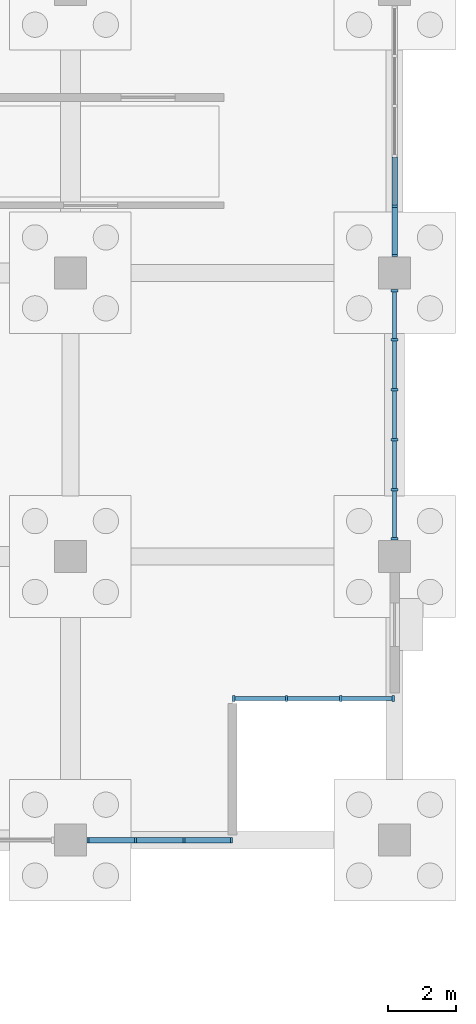
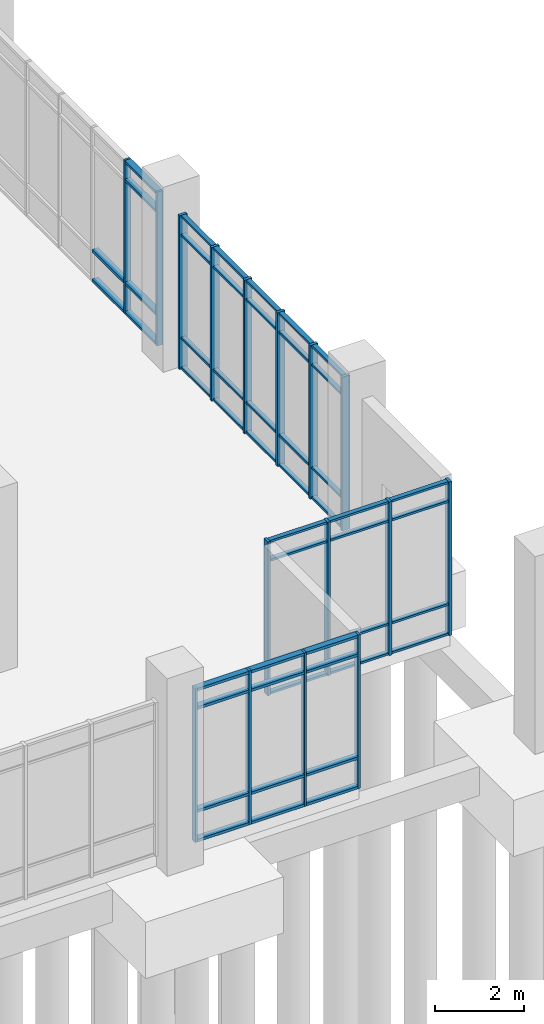
# One storey, part 65 of 136: 66 members, 4 elements without a shape of their own.
"""IFC4 building model written with IfcOpenShell, lengths in metres."""

from ifc_helpers import new_model, si_unit, direction, frame, origin, origin_2d, place, context, subcontext, project, spatial, rectangle, extrude, material, material_profile, profile_set, type_object, element, aggregate, save


model = new_model("IFC4")

# Units and contexts
model_context = context("Model", 3, precision=1e-05, world=origin(), true_north=direction((0.0, 1.0)))
body_context = subcontext(model_context, "Body", "Model", "MODEL_VIEW")
ifc_project = project(units=[si_unit("LENGTHUNIT", "METRE"), si_unit("AREAUNIT", "SQUARE_METRE"), si_unit("VOLUMEUNIT", "CUBIC_METRE"), si_unit("PLANEANGLEUNIT", "RADIAN"), si_unit("MASSUNIT", "GRAM", prefix="KILO")], contexts=[model_context])

# Site, building, storey
site_placement = place(None, origin())
site = spatial("IfcSite", under=ifc_project, at=site_placement, CompositionType="ELEMENT")
building_placement = place(site_placement, origin())
building = spatial("IfcBuilding", under=site, at=building_placement, Name="Oolite Switchyard Hospital", CompositionType="ELEMENT")
storey_placement = place(building_placement, origin())
storey = spatial("IfcBuildingStorey", under=building, at=storey_placement, Name="L00", CompositionType="ELEMENT", Elevation=0.0)

# Curtain wall, members
ifc_material_1 = material(Name="Thermally broken aluminum frame with laminated impact glazing", Category="aluminium")
curtain_wall_type = type_object("IfcCurtainWallType", Name="CW-UNIT-84X51", PredefinedType="USERDEFINED", material=ifc_material_1)
curtain_wall_1_placement = place(storey_placement, origin())
curtain_wall_1 = element("IfcCurtainWall", 1, at=curtain_wall_1_placement, inside=storey, type_object=curtain_wall_type, Name="L00 Unitised Curtain Wall 39", ObjectType="UNITISED", PredefinedType="USERDEFINED")
ifc_material_2 = material(Name="Aluminium 6063-T6", Category="aluminium")
ifc_material_profile_1 = material_profile(ifc_material_2, rectangle(XDim=0.159912109375, YDim=0.06005859375, at=origin_2d()), Name="CWM60X160")
ifc_profile_set_1 = profile_set([ifc_material_profile_1], Name="Aluminium 6063-T6")
member_type_1 = type_object("IfcMemberType", Name="CW-MUL-180", PredefinedType="MULLION", material=ifc_profile_set_1)
member_1_placement = place(storey_placement, frame((206.3701171875, 100.800048828125, 0.0), z_axis=(0.0, 0.0, 1.0), x_axis=(0.0, -1.0, 0.0)))
member_1 = element("IfcMember", 2, at=member_1_placement, type_object=member_type_1, Name="CW-06 mullion 1", PredefinedType="MULLION", context=body_context, shape_type="SweptSolid", body=[
    extrude(rectangle(XDim=0.159912109375, YDim=0.06005859375, at=origin_2d()), origin(), (0.0, 0.0, 1.0), 4.239990234375),
])
member_2_placement = place(storey_placement, frame((204.96337890625, 100.800048828125, 0.0), z_axis=(0.0, 0.0, 1.0), x_axis=(0.0, -1.0, 0.0)))
member_2 = element("IfcMember", 3, at=member_2_placement, type_object=member_type_1, Name="CW-06 mullion 2", PredefinedType="MULLION", context=body_context, shape_type="SweptSolid", body=[
    extrude(rectangle(XDim=0.159912109375, YDim=0.06005859375, at=origin_2d()), origin(), (0.0, 0.0, 1.0), 4.239990234375),
])
member_3_placement = place(storey_placement, frame((203.526611328125, 100.800048828125, 0.0), z_axis=(0.0, 0.0, 1.0), x_axis=(0.0, -1.0, 0.0)))
member_3 = element("IfcMember", 4, at=member_3_placement, type_object=member_type_1, Name="CW-06 mullion 3", PredefinedType="MULLION", context=body_context, shape_type="SweptSolid", body=[
    extrude(rectangle(XDim=0.159912109375, YDim=0.06005859375, at=origin_2d()), origin(), (0.0, 0.0, 1.0), 4.239990234375),
])
member_4_placement = place(storey_placement, frame((202.1201171875, 100.800048828125, 0.0), z_axis=(0.0, 0.0, 1.0), x_axis=(0.0, -1.0, 0.0)))
member_4 = element("IfcMember", 5, at=member_4_placement, type_object=member_type_1, Name="CW-06 mullion 4", PredefinedType="MULLION", context=body_context, shape_type="SweptSolid", body=[
    extrude(rectangle(XDim=0.159912109375, YDim=0.06005859375, at=origin_2d()), origin(), (0.0, 0.0, 1.0), 4.239990234375),
])

curtain_wall_2_placement = place(storey_placement, origin())
curtain_wall_2 = element("IfcCurtainWall", 6, at=curtain_wall_2_placement, inside=storey, type_object=curtain_wall_type, Name="L00 Unitised Curtain Wall 93", ObjectType="UNITISED", PredefinedType="USERDEFINED")
member_5_placement = place(storey_placement, frame((211.199951171875, 119.573974609375, 0.0), z_axis=(0.0, 0.0, 1.0), x_axis=(1.0, 0.0, 0.0)))
member_5 = element("IfcMember", 7, at=member_5_placement, type_object=member_type_1, Name="CW-06 mullion 5", PredefinedType="MULLION", context=body_context, shape_type="SweptSolid", body=[
    extrude(rectangle(XDim=0.159912109375, YDim=0.06005859375, at=origin_2d()), origin(), (0.0, 0.0, 1.0), 4.239990234375),
])
member_6_placement = place(storey_placement, frame((211.199951171875, 118.1201171875, 0.0), z_axis=(0.0, 0.0, 1.0), x_axis=(1.0, 0.0, 0.0)))
member_6 = element("IfcMember", 8, at=member_6_placement, type_object=member_type_1, Name="CW-06 mullion 6", PredefinedType="MULLION", context=body_context, shape_type="SweptSolid", body=[
    extrude(rectangle(XDim=0.159912109375, YDim=0.06005859375, at=origin_2d()), origin(), (0.0, 0.0, 1.0), 4.239990234375),
])

curtain_wall_3_placement = place(storey_placement, origin())
curtain_wall_3 = element("IfcCurtainWall", 9, at=curtain_wall_3_placement, inside=storey, type_object=curtain_wall_type, Name="L00 Unitised Curtain Wall 40", ObjectType="UNITISED", PredefinedType="USERDEFINED")
ifc_material_profile_2 = material_profile(ifc_material_2, rectangle(XDim=0.179931640625, YDim=0.070068359375, at=origin_2d()), Name="CWM70X180")
ifc_profile_set_2 = profile_set([ifc_material_profile_2], Name="Aluminium 6063-T6")
member_type_2 = type_object("IfcMemberType", Name="CW-MUL-220", PredefinedType="MULLION", material=ifc_profile_set_2)
member_7_placement = place(storey_placement, frame((211.1650390625, 105.0, 0.0), z_axis=(0.0, 0.0, 1.0), x_axis=(0.0, -1.0, 0.0)))
member_7 = element("IfcMember", 10, at=member_7_placement, type_object=member_type_2, Name="CW-06 mullion 1", PredefinedType="MULLION", context=body_context, shape_type="SweptSolid", body=[
    extrude(rectangle(XDim=0.179931640625, YDim=0.070068359375, at=origin_2d()), origin(), (0.0, 0.0, 1.0), 4.239990234375),
])
member_8_placement = place(storey_placement, frame((209.60009765625, 105.0, 0.0), z_axis=(0.0, 0.0, 1.0), x_axis=(0.0, -1.0, 0.0)))
member_8 = element("IfcMember", 11, at=member_8_placement, type_object=member_type_2, Name="CW-06 mullion 2", PredefinedType="MULLION", context=body_context, shape_type="SweptSolid", body=[
    extrude(rectangle(XDim=0.179931640625, YDim=0.070068359375, at=origin_2d()), origin(), (0.0, 0.0, 1.0), 4.239990234375),
])
member_9_placement = place(storey_placement, frame((208.0, 105.0, 0.0), z_axis=(0.0, 0.0, 1.0), x_axis=(0.0, -1.0, 0.0)))
member_9 = element("IfcMember", 12, at=member_9_placement, type_object=member_type_2, Name="CW-06 mullion 3", PredefinedType="MULLION", context=body_context, shape_type="SweptSolid", body=[
    extrude(rectangle(XDim=0.179931640625, YDim=0.070068359375, at=origin_2d()), origin(), (0.0, 0.0, 1.0), 4.239990234375),
])
member_10_placement = place(storey_placement, frame((206.43505859375, 105.0, 0.0), z_axis=(0.0, 0.0, 1.0), x_axis=(0.0, -1.0, 0.0)))
member_10 = element("IfcMember", 13, at=member_10_placement, type_object=member_type_2, Name="CW-06 mullion 4", PredefinedType="MULLION", context=body_context, shape_type="SweptSolid", body=[
    extrude(rectangle(XDim=0.179931640625, YDim=0.070068359375, at=origin_2d()), origin(), (0.0, 0.0, 1.0), 4.239990234375),
])

curtain_wall_4_placement = place(storey_placement, origin())
curtain_wall_4 = element("IfcCurtainWall", 14, at=curtain_wall_4_placement, inside=storey, type_object=curtain_wall_type, Name="L00 Unitised Curtain Wall 92", ObjectType="UNITISED", PredefinedType="USERDEFINED")
ifc_material_profile_3 = material_profile(ifc_material_2, rectangle(XDim=0.199951171875, YDim=0.074951171875, at=origin_2d()), Name="CWM75X200")
ifc_profile_set_3 = profile_set([ifc_material_profile_3], Name="Aluminium 6063-T6")
member_type_3 = type_object("IfcMemberType", Name="CW-MUL-260", PredefinedType="MULLION", material=ifc_profile_set_3)
member_11_placement = place(storey_placement, frame((211.199951171875, 117.072509765625, 0.0), z_axis=(0.0, 0.0, 1.0), x_axis=(1.0, 0.0, 0.0)))
member_11 = element("IfcMember", 15, at=member_11_placement, type_object=member_type_3, Name="CW-06 mullion 1", PredefinedType="MULLION", context=body_context, shape_type="SweptSolid", body=[
    extrude(rectangle(XDim=0.199951171875, YDim=0.074951171875, at=origin_2d()), origin(), (0.0, 0.0, 1.0), 4.239990234375),
])
member_12_placement = place(storey_placement, frame((211.199951171875, 115.6259765625, 0.0), z_axis=(0.0, 0.0, 1.0), x_axis=(1.0, 0.0, 0.0)))
member_12 = element("IfcMember", 16, at=member_12_placement, type_object=member_type_3, Name="CW-06 mullion 2", PredefinedType="MULLION", context=body_context, shape_type="SweptSolid", body=[
    extrude(rectangle(XDim=0.199951171875, YDim=0.074951171875, at=origin_2d()), origin(), (0.0, 0.0, 1.0), 4.239990234375),
])
member_13_placement = place(storey_placement, frame((211.199951171875, 114.14208984375, 0.0), z_axis=(0.0, 0.0, 1.0), x_axis=(1.0, 0.0, 0.0)))
member_13 = element("IfcMember", 17, at=member_13_placement, type_object=member_type_3, Name="CW-06 mullion 3", PredefinedType="MULLION", context=body_context, shape_type="SweptSolid", body=[
    extrude(rectangle(XDim=0.199951171875, YDim=0.074951171875, at=origin_2d()), origin(), (0.0, 0.0, 1.0), 4.239990234375),
])
member_14_placement = place(storey_placement, frame((211.199951171875, 112.657958984375, 0.0), z_axis=(0.0, 0.0, 1.0), x_axis=(1.0, 0.0, 0.0)))
member_14 = element("IfcMember", 18, at=member_14_placement, type_object=member_type_3, Name="CW-06 mullion 4", PredefinedType="MULLION", context=body_context, shape_type="SweptSolid", body=[
    extrude(rectangle(XDim=0.199951171875, YDim=0.074951171875, at=origin_2d()), origin(), (0.0, 0.0, 1.0), 4.239990234375),
])
member_15_placement = place(storey_placement, frame((211.199951171875, 111.174072265625, 0.0), z_axis=(0.0, 0.0, 1.0), x_axis=(1.0, 0.0, 0.0)))
member_15 = element("IfcMember", 19, at=member_15_placement, type_object=member_type_3, Name="CW-06 mullion 5", PredefinedType="MULLION", context=body_context, shape_type="SweptSolid", body=[
    extrude(rectangle(XDim=0.199951171875, YDim=0.074951171875, at=origin_2d()), origin(), (0.0, 0.0, 1.0), 4.239990234375),
])
member_16_placement = place(storey_placement, frame((211.199951171875, 109.7275390625, 0.0), z_axis=(0.0, 0.0, 1.0), x_axis=(1.0, 0.0, 0.0)))
member_16 = element("IfcMember", 20, at=member_16_placement, type_object=member_type_3, Name="CW-06 mullion 6", PredefinedType="MULLION", context=body_context, shape_type="SweptSolid", body=[
    extrude(rectangle(XDim=0.199951171875, YDim=0.074951171875, at=origin_2d()), origin(), (0.0, 0.0, 1.0), 4.239990234375),
])

# Member
ifc_material_profile_4 = material_profile(ifc_material_2, rectangle(XDim=0.1201171875, YDim=0.06005859375, at=origin_2d()), Name="CWT60X120")
ifc_profile_set_4 = profile_set([ifc_material_profile_4], Name="Aluminium 6063-T6")
member_type_4 = type_object("IfcMemberType", Name="CW-TRN-150", PredefinedType="USERDEFINED", material=ifc_profile_set_4)
member_17_placement = place(storey_placement, frame((211.1298828125, 105.0, 0.030029296875), z_axis=(-1.0, 0.0, 0.0), x_axis=(0.0, -1.0, 0.0)))
member_17 = element("IfcMember", 21, at=member_17_placement, type_object=member_type_4, Name="CW-06 transom 1.1", ObjectType="TRANSOM", PredefinedType="USERDEFINED", context=body_context, shape_type="SweptSolid", body=[
    extrude(rectangle(XDim=0.1201171875, YDim=0.06005859375, at=origin_2d()), origin(), (0.0, 0.0, 1.0), 1.494873046875),
])

member_18_placement = place(storey_placement, frame((211.1298828125, 105.0, 0.85009765625), z_axis=(-1.0, 0.0, 0.0), x_axis=(0.0, -1.0, 0.0)))
member_18 = element("IfcMember", 22, at=member_18_placement, type_object=member_type_4, Name="CW-06 transom 1.2", ObjectType="TRANSOM", PredefinedType="USERDEFINED", context=body_context, shape_type="SweptSolid", body=[
    extrude(rectangle(XDim=0.1201171875, YDim=0.06005859375, at=origin_2d()), origin(), (0.0, 0.0, 1.0), 1.494873046875),
])

member_19_placement = place(storey_placement, frame((211.1298828125, 105.0, 3.68994140625), z_axis=(-1.0, 0.0, 0.0), x_axis=(0.0, -1.0, 0.0)))
member_19 = element("IfcMember", 23, at=member_19_placement, type_object=member_type_4, Name="CW-06 transom 1.3", ObjectType="TRANSOM", PredefinedType="USERDEFINED", context=body_context, shape_type="SweptSolid", body=[
    extrude(rectangle(XDim=0.1201171875, YDim=0.06005859375, at=origin_2d()), origin(), (0.0, 0.0, 1.0), 1.494873046875),
])

member_20_placement = place(storey_placement, frame((211.1298828125, 105.0, 4.2099609375), z_axis=(-1.0, 0.0, 0.0), x_axis=(0.0, -1.0, 0.0)))
member_20 = element("IfcMember", 24, at=member_20_placement, type_object=member_type_4, Name="CW-06 transom 1.4", ObjectType="TRANSOM", PredefinedType="USERDEFINED", context=body_context, shape_type="SweptSolid", body=[
    extrude(rectangle(XDim=0.1201171875, YDim=0.06005859375, at=origin_2d()), origin(), (0.0, 0.0, 1.0), 1.494873046875),
])

member_21_placement = place(storey_placement, frame((209.56494140625, 105.0, 0.030029296875), z_axis=(-1.0, 0.0, 0.0), x_axis=(0.0, -1.0, 0.0)))
member_21 = element("IfcMember", 25, at=member_21_placement, type_object=member_type_4, Name="CW-06 transom 2.1", ObjectType="TRANSOM", PredefinedType="USERDEFINED", context=body_context, shape_type="SweptSolid", body=[
    extrude(rectangle(XDim=0.1201171875, YDim=0.06005859375, at=origin_2d()), origin(), (0.0, 0.0, 1.0), 1.530029296875),
])

member_22_placement = place(storey_placement, frame((209.56494140625, 105.0, 0.85009765625), z_axis=(-1.0, 0.0, 0.0), x_axis=(0.0, -1.0, 0.0)))
member_22 = element("IfcMember", 26, at=member_22_placement, type_object=member_type_4, Name="CW-06 transom 2.2", ObjectType="TRANSOM", PredefinedType="USERDEFINED", context=body_context, shape_type="SweptSolid", body=[
    extrude(rectangle(XDim=0.1201171875, YDim=0.06005859375, at=origin_2d()), origin(), (0.0, 0.0, 1.0), 1.530029296875),
])

member_23_placement = place(storey_placement, frame((209.56494140625, 105.0, 3.68994140625), z_axis=(-1.0, 0.0, 0.0), x_axis=(0.0, -1.0, 0.0)))
member_23 = element("IfcMember", 27, at=member_23_placement, type_object=member_type_4, Name="CW-06 transom 2.3", ObjectType="TRANSOM", PredefinedType="USERDEFINED", context=body_context, shape_type="SweptSolid", body=[
    extrude(rectangle(XDim=0.1201171875, YDim=0.06005859375, at=origin_2d()), origin(), (0.0, 0.0, 1.0), 1.530029296875),
])

member_24_placement = place(storey_placement, frame((209.56494140625, 105.0, 4.2099609375), z_axis=(-1.0, 0.0, 0.0), x_axis=(0.0, -1.0, 0.0)))
member_24 = element("IfcMember", 28, at=member_24_placement, type_object=member_type_4, Name="CW-06 transom 2.4", ObjectType="TRANSOM", PredefinedType="USERDEFINED", context=body_context, shape_type="SweptSolid", body=[
    extrude(rectangle(XDim=0.1201171875, YDim=0.06005859375, at=origin_2d()), origin(), (0.0, 0.0, 1.0), 1.530029296875),
])

member_25_placement = place(storey_placement, frame((207.965087890625, 105.0, 0.030029296875), z_axis=(-1.0, 0.0, 0.0), x_axis=(0.0, -1.0, 0.0)))
member_25 = element("IfcMember", 29, at=member_25_placement, type_object=member_type_4, Name="CW-06 transom 3.1", ObjectType="TRANSOM", PredefinedType="USERDEFINED", context=body_context, shape_type="SweptSolid", body=[
    extrude(rectangle(XDim=0.1201171875, YDim=0.06005859375, at=origin_2d()), origin(), (0.0, 0.0, 1.0), 1.4951171875),
])

member_26_placement = place(storey_placement, frame((207.965087890625, 105.0, 0.85009765625), z_axis=(-1.0, 0.0, 0.0), x_axis=(0.0, -1.0, 0.0)))
member_26 = element("IfcMember", 30, at=member_26_placement, type_object=member_type_4, Name="CW-06 transom 3.2", ObjectType="TRANSOM", PredefinedType="USERDEFINED", context=body_context, shape_type="SweptSolid", body=[
    extrude(rectangle(XDim=0.1201171875, YDim=0.06005859375, at=origin_2d()), origin(), (0.0, 0.0, 1.0), 1.4951171875),
])

member_27_placement = place(storey_placement, frame((207.965087890625, 105.0, 3.68994140625), z_axis=(-1.0, 0.0, 0.0), x_axis=(0.0, -1.0, 0.0)))
member_27 = element("IfcMember", 31, at=member_27_placement, type_object=member_type_4, Name="CW-06 transom 3.3", ObjectType="TRANSOM", PredefinedType="USERDEFINED", context=body_context, shape_type="SweptSolid", body=[
    extrude(rectangle(XDim=0.1201171875, YDim=0.06005859375, at=origin_2d()), origin(), (0.0, 0.0, 1.0), 1.4951171875),
])

member_28_placement = place(storey_placement, frame((207.965087890625, 105.0, 4.2099609375), z_axis=(-1.0, 0.0, 0.0), x_axis=(0.0, -1.0, 0.0)))
member_28 = element("IfcMember", 32, at=member_28_placement, type_object=member_type_4, Name="CW-06 transom 3.4", ObjectType="TRANSOM", PredefinedType="USERDEFINED", context=body_context, shape_type="SweptSolid", body=[
    extrude(rectangle(XDim=0.1201171875, YDim=0.06005859375, at=origin_2d()), origin(), (0.0, 0.0, 1.0), 1.4951171875),
])

aggregate(curtain_wall_3, [member_7, member_8, member_9, member_10, member_17, member_18, member_19, member_20, member_21, member_22, member_23, member_24, member_25, member_26, member_27, member_28])

member_29_placement = place(storey_placement, frame((211.199951171875, 117.034912109375, 0.030029296875), z_axis=(0.0, -1.0, 0.0), x_axis=(1.0, 0.0, 0.0)))
member_29 = element("IfcMember", 33, at=member_29_placement, type_object=member_type_4, Name="CW-06 transom 1.1", ObjectType="TRANSOM", PredefinedType="USERDEFINED", context=body_context, shape_type="SweptSolid", body=[
    extrude(rectangle(XDim=0.1201171875, YDim=0.06005859375, at=origin_2d()), origin(), (0.0, 0.0, 1.0), 1.371337890625),
])

member_30_placement = place(storey_placement, frame((211.199951171875, 117.034912109375, 0.85009765625), z_axis=(0.0, -1.0, 0.0), x_axis=(1.0, 0.0, 0.0)))
member_30 = element("IfcMember", 34, at=member_30_placement, type_object=member_type_4, Name="CW-06 transom 1.2", ObjectType="TRANSOM", PredefinedType="USERDEFINED", context=body_context, shape_type="SweptSolid", body=[
    extrude(rectangle(XDim=0.1201171875, YDim=0.06005859375, at=origin_2d()), origin(), (0.0, 0.0, 1.0), 1.371337890625),
])

member_31_placement = place(storey_placement, frame((211.199951171875, 117.034912109375, 3.68994140625), z_axis=(0.0, -1.0, 0.0), x_axis=(1.0, 0.0, 0.0)))
member_31 = element("IfcMember", 35, at=member_31_placement, type_object=member_type_4, Name="CW-06 transom 1.3", ObjectType="TRANSOM", PredefinedType="USERDEFINED", context=body_context, shape_type="SweptSolid", body=[
    extrude(rectangle(XDim=0.1201171875, YDim=0.06005859375, at=origin_2d()), origin(), (0.0, 0.0, 1.0), 1.371337890625),
])

member_32_placement = place(storey_placement, frame((211.199951171875, 117.034912109375, 4.2099609375), z_axis=(0.0, -1.0, 0.0), x_axis=(1.0, 0.0, 0.0)))
member_32 = element("IfcMember", 36, at=member_32_placement, type_object=member_type_4, Name="CW-06 transom 1.4", ObjectType="TRANSOM", PredefinedType="USERDEFINED", context=body_context, shape_type="SweptSolid", body=[
    extrude(rectangle(XDim=0.1201171875, YDim=0.06005859375, at=origin_2d()), origin(), (0.0, 0.0, 1.0), 1.371337890625),
])

member_33_placement = place(storey_placement, frame((211.199951171875, 115.58837890625, 0.030029296875), z_axis=(0.0, -1.0, 0.0), x_axis=(1.0, 0.0, 0.0)))
member_33 = element("IfcMember", 37, at=member_33_placement, type_object=member_type_4, Name="CW-06 transom 2.1", ObjectType="TRANSOM", PredefinedType="USERDEFINED", context=body_context, shape_type="SweptSolid", body=[
    extrude(rectangle(XDim=0.1201171875, YDim=0.06005859375, at=origin_2d()), origin(), (0.0, 0.0, 1.0), 1.408935546875),
])

member_34_placement = place(storey_placement, frame((211.199951171875, 115.58837890625, 0.85009765625), z_axis=(0.0, -1.0, 0.0), x_axis=(1.0, 0.0, 0.0)))
member_34 = element("IfcMember", 38, at=member_34_placement, type_object=member_type_4, Name="CW-06 transom 2.2", ObjectType="TRANSOM", PredefinedType="USERDEFINED", context=body_context, shape_type="SweptSolid", body=[
    extrude(rectangle(XDim=0.1201171875, YDim=0.06005859375, at=origin_2d()), origin(), (0.0, 0.0, 1.0), 1.408935546875),
])

member_35_placement = place(storey_placement, frame((211.199951171875, 115.58837890625, 3.68994140625), z_axis=(0.0, -1.0, 0.0), x_axis=(1.0, 0.0, 0.0)))
member_35 = element("IfcMember", 39, at=member_35_placement, type_object=member_type_4, Name="CW-06 transom 2.3", ObjectType="TRANSOM", PredefinedType="USERDEFINED", context=body_context, shape_type="SweptSolid", body=[
    extrude(rectangle(XDim=0.1201171875, YDim=0.06005859375, at=origin_2d()), origin(), (0.0, 0.0, 1.0), 1.408935546875),
])

member_36_placement = place(storey_placement, frame((211.199951171875, 115.58837890625, 4.2099609375), z_axis=(0.0, -1.0, 0.0), x_axis=(1.0, 0.0, 0.0)))
member_36 = element("IfcMember", 40, at=member_36_placement, type_object=member_type_4, Name="CW-06 transom 2.4", ObjectType="TRANSOM", PredefinedType="USERDEFINED", context=body_context, shape_type="SweptSolid", body=[
    extrude(rectangle(XDim=0.1201171875, YDim=0.06005859375, at=origin_2d()), origin(), (0.0, 0.0, 1.0), 1.408935546875),
])

member_37_placement = place(storey_placement, frame((211.199951171875, 114.1044921875, 0.030029296875), z_axis=(0.0, -1.0, 0.0), x_axis=(1.0, 0.0, 0.0)))
member_37 = element("IfcMember", 41, at=member_37_placement, type_object=member_type_4, Name="CW-06 transom 3.1", ObjectType="TRANSOM", PredefinedType="USERDEFINED", context=body_context, shape_type="SweptSolid", body=[
    extrude(rectangle(XDim=0.1201171875, YDim=0.06005859375, at=origin_2d()), origin(), (0.0, 0.0, 1.0), 1.408935546875),
])

member_38_placement = place(storey_placement, frame((211.199951171875, 114.1044921875, 0.85009765625), z_axis=(0.0, -1.0, 0.0), x_axis=(1.0, 0.0, 0.0)))
member_38 = element("IfcMember", 42, at=member_38_placement, type_object=member_type_4, Name="CW-06 transom 3.2", ObjectType="TRANSOM", PredefinedType="USERDEFINED", context=body_context, shape_type="SweptSolid", body=[
    extrude(rectangle(XDim=0.1201171875, YDim=0.06005859375, at=origin_2d()), origin(), (0.0, 0.0, 1.0), 1.408935546875),
])

member_39_placement = place(storey_placement, frame((211.199951171875, 114.1044921875, 3.68994140625), z_axis=(0.0, -1.0, 0.0), x_axis=(1.0, 0.0, 0.0)))
member_39 = element("IfcMember", 43, at=member_39_placement, type_object=member_type_4, Name="CW-06 transom 3.3", ObjectType="TRANSOM", PredefinedType="USERDEFINED", context=body_context, shape_type="SweptSolid", body=[
    extrude(rectangle(XDim=0.1201171875, YDim=0.06005859375, at=origin_2d()), origin(), (0.0, 0.0, 1.0), 1.408935546875),
])

member_40_placement = place(storey_placement, frame((211.199951171875, 114.1044921875, 4.2099609375), z_axis=(0.0, -1.0, 0.0), x_axis=(1.0, 0.0, 0.0)))
member_40 = element("IfcMember", 44, at=member_40_placement, type_object=member_type_4, Name="CW-06 transom 3.4", ObjectType="TRANSOM", PredefinedType="USERDEFINED", context=body_context, shape_type="SweptSolid", body=[
    extrude(rectangle(XDim=0.1201171875, YDim=0.06005859375, at=origin_2d()), origin(), (0.0, 0.0, 1.0), 1.408935546875),
])

member_41_placement = place(storey_placement, frame((211.199951171875, 112.62060546875, 0.030029296875), z_axis=(0.0, -1.0, 0.0), x_axis=(1.0, 0.0, 0.0)))
member_41 = element("IfcMember", 45, at=member_41_placement, type_object=member_type_4, Name="CW-06 transom 4.1", ObjectType="TRANSOM", PredefinedType="USERDEFINED", context=body_context, shape_type="SweptSolid", body=[
    extrude(rectangle(XDim=0.1201171875, YDim=0.06005859375, at=origin_2d()), origin(), (0.0, 0.0, 1.0), 1.4091796875),
])

member_42_placement = place(storey_placement, frame((211.199951171875, 112.62060546875, 0.85009765625), z_axis=(0.0, -1.0, 0.0), x_axis=(1.0, 0.0, 0.0)))
member_42 = element("IfcMember", 46, at=member_42_placement, type_object=member_type_4, Name="CW-06 transom 4.2", ObjectType="TRANSOM", PredefinedType="USERDEFINED", context=body_context, shape_type="SweptSolid", body=[
    extrude(rectangle(XDim=0.1201171875, YDim=0.06005859375, at=origin_2d()), origin(), (0.0, 0.0, 1.0), 1.4091796875),
])

member_43_placement = place(storey_placement, frame((211.199951171875, 112.62060546875, 3.68994140625), z_axis=(0.0, -1.0, 0.0), x_axis=(1.0, 0.0, 0.0)))
member_43 = element("IfcMember", 47, at=member_43_placement, type_object=member_type_4, Name="CW-06 transom 4.3", ObjectType="TRANSOM", PredefinedType="USERDEFINED", context=body_context, shape_type="SweptSolid", body=[
    extrude(rectangle(XDim=0.1201171875, YDim=0.06005859375, at=origin_2d()), origin(), (0.0, 0.0, 1.0), 1.4091796875),
])

member_44_placement = place(storey_placement, frame((211.199951171875, 112.62060546875, 4.2099609375), z_axis=(0.0, -1.0, 0.0), x_axis=(1.0, 0.0, 0.0)))
member_44 = element("IfcMember", 48, at=member_44_placement, type_object=member_type_4, Name="CW-06 transom 4.4", ObjectType="TRANSOM", PredefinedType="USERDEFINED", context=body_context, shape_type="SweptSolid", body=[
    extrude(rectangle(XDim=0.1201171875, YDim=0.06005859375, at=origin_2d()), origin(), (0.0, 0.0, 1.0), 1.4091796875),
])

member_45_placement = place(storey_placement, frame((211.199951171875, 111.136474609375, 0.030029296875), z_axis=(0.0, -1.0, 0.0), x_axis=(1.0, 0.0, 0.0)))
member_45 = element("IfcMember", 49, at=member_45_placement, type_object=member_type_4, Name="CW-06 transom 5.1", ObjectType="TRANSOM", PredefinedType="USERDEFINED", context=body_context, shape_type="SweptSolid", body=[
    extrude(rectangle(XDim=0.1201171875, YDim=0.06005859375, at=origin_2d()), origin(), (0.0, 0.0, 1.0), 1.37158203125),
])

member_46_placement = place(storey_placement, frame((211.199951171875, 111.136474609375, 0.85009765625), z_axis=(0.0, -1.0, 0.0), x_axis=(1.0, 0.0, 0.0)))
member_46 = element("IfcMember", 50, at=member_46_placement, type_object=member_type_4, Name="CW-06 transom 5.2", ObjectType="TRANSOM", PredefinedType="USERDEFINED", context=body_context, shape_type="SweptSolid", body=[
    extrude(rectangle(XDim=0.1201171875, YDim=0.06005859375, at=origin_2d()), origin(), (0.0, 0.0, 1.0), 1.37158203125),
])

member_47_placement = place(storey_placement, frame((211.199951171875, 111.136474609375, 3.68994140625), z_axis=(0.0, -1.0, 0.0), x_axis=(1.0, 0.0, 0.0)))
member_47 = element("IfcMember", 51, at=member_47_placement, type_object=member_type_4, Name="CW-06 transom 5.3", ObjectType="TRANSOM", PredefinedType="USERDEFINED", context=body_context, shape_type="SweptSolid", body=[
    extrude(rectangle(XDim=0.1201171875, YDim=0.06005859375, at=origin_2d()), origin(), (0.0, 0.0, 1.0), 1.37158203125),
])

member_48_placement = place(storey_placement, frame((211.199951171875, 111.136474609375, 4.2099609375), z_axis=(0.0, -1.0, 0.0), x_axis=(1.0, 0.0, 0.0)))
member_48 = element("IfcMember", 52, at=member_48_placement, type_object=member_type_4, Name="CW-06 transom 5.4", ObjectType="TRANSOM", PredefinedType="USERDEFINED", context=body_context, shape_type="SweptSolid", body=[
    extrude(rectangle(XDim=0.1201171875, YDim=0.06005859375, at=origin_2d()), origin(), (0.0, 0.0, 1.0), 1.37158203125),
])

aggregate(curtain_wall_4, [member_11, member_12, member_13, member_14, member_15, member_16, member_29, member_30, member_31, member_32, member_33, member_34, member_35, member_36, member_37, member_38, member_39, member_40, member_41, member_42, member_43, member_44, member_45, member_46, member_47, member_48])

ifc_material_profile_5 = material_profile(ifc_material_2, rectangle(XDim=0.159912109375, YDim=0.074951171875, at=origin_2d()), Name="CWT75X160")
ifc_profile_set_5 = profile_set([ifc_material_profile_5], Name="Aluminium 6063-T6")
member_type_5 = type_object("IfcMemberType", Name="CW-TRN-180", PredefinedType="USERDEFINED", material=ifc_profile_set_5)
member_49_placement = place(storey_placement, frame((206.340087890625, 100.800048828125, 0.03759765625), z_axis=(-1.0, 0.0, 0.0), x_axis=(0.0, -1.0, 0.0)))
member_49 = element("IfcMember", 53, at=member_49_placement, type_object=member_type_5, Name="CW-06 transom 1.1", ObjectType="TRANSOM", PredefinedType="USERDEFINED", context=body_context, shape_type="SweptSolid", body=[
    extrude(rectangle(XDim=0.159912109375, YDim=0.074951171875, at=origin_2d()), origin(), (0.0, 0.0, 1.0), 1.3466796875),
])

member_50_placement = place(storey_placement, frame((206.340087890625, 100.800048828125, 0.85009765625), z_axis=(-1.0, 0.0, 0.0), x_axis=(0.0, -1.0, 0.0)))
member_50 = element("IfcMember", 54, at=member_50_placement, type_object=member_type_5, Name="CW-06 transom 1.2", ObjectType="TRANSOM", PredefinedType="USERDEFINED", context=body_context, shape_type="SweptSolid", body=[
    extrude(rectangle(XDim=0.159912109375, YDim=0.074951171875, at=origin_2d()), origin(), (0.0, 0.0, 1.0), 1.3466796875),
])

member_51_placement = place(storey_placement, frame((206.340087890625, 100.800048828125, 3.68994140625), z_axis=(-1.0, 0.0, 0.0), x_axis=(0.0, -1.0, 0.0)))
member_51 = element("IfcMember", 55, at=member_51_placement, type_object=member_type_5, Name="CW-06 transom 1.3", ObjectType="TRANSOM", PredefinedType="USERDEFINED", context=body_context, shape_type="SweptSolid", body=[
    extrude(rectangle(XDim=0.159912109375, YDim=0.074951171875, at=origin_2d()), origin(), (0.0, 0.0, 1.0), 1.3466796875),
])

member_52_placement = place(storey_placement, frame((206.340087890625, 100.800048828125, 4.202392578125), z_axis=(-1.0, 0.0, 0.0), x_axis=(0.0, -1.0, 0.0)))
member_52 = element("IfcMember", 56, at=member_52_placement, type_object=member_type_5, Name="CW-06 transom 1.4", ObjectType="TRANSOM", PredefinedType="USERDEFINED", context=body_context, shape_type="SweptSolid", body=[
    extrude(rectangle(XDim=0.159912109375, YDim=0.074951171875, at=origin_2d()), origin(), (0.0, 0.0, 1.0), 1.3466796875),
])

member_53_placement = place(storey_placement, frame((204.933349609375, 100.800048828125, 0.03759765625), z_axis=(-1.0, 0.0, 0.0), x_axis=(0.0, -1.0, 0.0)))
member_53 = element("IfcMember", 57, at=member_53_placement, type_object=member_type_5, Name="CW-06 transom 2.1", ObjectType="TRANSOM", PredefinedType="USERDEFINED", context=body_context, shape_type="SweptSolid", body=[
    extrude(rectangle(XDim=0.159912109375, YDim=0.074951171875, at=origin_2d()), origin(), (0.0, 0.0, 1.0), 1.376708984375),
])

member_54_placement = place(storey_placement, frame((204.933349609375, 100.800048828125, 0.85009765625), z_axis=(-1.0, 0.0, 0.0), x_axis=(0.0, -1.0, 0.0)))
member_54 = element("IfcMember", 58, at=member_54_placement, type_object=member_type_5, Name="CW-06 transom 2.2", ObjectType="TRANSOM", PredefinedType="USERDEFINED", context=body_context, shape_type="SweptSolid", body=[
    extrude(rectangle(XDim=0.159912109375, YDim=0.074951171875, at=origin_2d()), origin(), (0.0, 0.0, 1.0), 1.376708984375),
])

member_55_placement = place(storey_placement, frame((204.933349609375, 100.800048828125, 3.68994140625), z_axis=(-1.0, 0.0, 0.0), x_axis=(0.0, -1.0, 0.0)))
member_55 = element("IfcMember", 59, at=member_55_placement, type_object=member_type_5, Name="CW-06 transom 2.3", ObjectType="TRANSOM", PredefinedType="USERDEFINED", context=body_context, shape_type="SweptSolid", body=[
    extrude(rectangle(XDim=0.159912109375, YDim=0.074951171875, at=origin_2d()), origin(), (0.0, 0.0, 1.0), 1.376708984375),
])

member_56_placement = place(storey_placement, frame((204.933349609375, 100.800048828125, 4.202392578125), z_axis=(-1.0, 0.0, 0.0), x_axis=(0.0, -1.0, 0.0)))
member_56 = element("IfcMember", 60, at=member_56_placement, type_object=member_type_5, Name="CW-06 transom 2.4", ObjectType="TRANSOM", PredefinedType="USERDEFINED", context=body_context, shape_type="SweptSolid", body=[
    extrude(rectangle(XDim=0.159912109375, YDim=0.074951171875, at=origin_2d()), origin(), (0.0, 0.0, 1.0), 1.376708984375),
])

member_57_placement = place(storey_placement, frame((203.49658203125, 100.800048828125, 0.03759765625), z_axis=(-1.0, 0.0, 0.0), x_axis=(0.0, -1.0, 0.0)))
member_57 = element("IfcMember", 61, at=member_57_placement, type_object=member_type_5, Name="CW-06 transom 3.1", ObjectType="TRANSOM", PredefinedType="USERDEFINED", context=body_context, shape_type="SweptSolid", body=[
    extrude(rectangle(XDim=0.159912109375, YDim=0.074951171875, at=origin_2d()), origin(), (0.0, 0.0, 1.0), 1.3466796875),
])

member_58_placement = place(storey_placement, frame((203.49658203125, 100.800048828125, 0.85009765625), z_axis=(-1.0, 0.0, 0.0), x_axis=(0.0, -1.0, 0.0)))
member_58 = element("IfcMember", 62, at=member_58_placement, type_object=member_type_5, Name="CW-06 transom 3.2", ObjectType="TRANSOM", PredefinedType="USERDEFINED", context=body_context, shape_type="SweptSolid", body=[
    extrude(rectangle(XDim=0.159912109375, YDim=0.074951171875, at=origin_2d()), origin(), (0.0, 0.0, 1.0), 1.3466796875),
])

member_59_placement = place(storey_placement, frame((203.49658203125, 100.800048828125, 3.68994140625), z_axis=(-1.0, 0.0, 0.0), x_axis=(0.0, -1.0, 0.0)))
member_59 = element("IfcMember", 63, at=member_59_placement, type_object=member_type_5, Name="CW-06 transom 3.3", ObjectType="TRANSOM", PredefinedType="USERDEFINED", context=body_context, shape_type="SweptSolid", body=[
    extrude(rectangle(XDim=0.159912109375, YDim=0.074951171875, at=origin_2d()), origin(), (0.0, 0.0, 1.0), 1.3466796875),
])

member_60_placement = place(storey_placement, frame((203.49658203125, 100.800048828125, 4.202392578125), z_axis=(-1.0, 0.0, 0.0), x_axis=(0.0, -1.0, 0.0)))
member_60 = element("IfcMember", 64, at=member_60_placement, type_object=member_type_5, Name="CW-06 transom 3.4", ObjectType="TRANSOM", PredefinedType="USERDEFINED", context=body_context, shape_type="SweptSolid", body=[
    extrude(rectangle(XDim=0.159912109375, YDim=0.074951171875, at=origin_2d()), origin(), (0.0, 0.0, 1.0), 1.3466796875),
])

aggregate(curtain_wall_1, [member_1, member_2, member_3, member_4, member_49, member_50, member_51, member_52, member_53, member_54, member_55, member_56, member_57, member_58, member_59, member_60])

member_61_placement = place(storey_placement, frame((211.199951171875, 121.028076171875, 0.03759765625), z_axis=(0.0, -1.0, 0.0), x_axis=(1.0, 0.0, 0.0)))
member_61 = element("IfcMember", 65, at=member_61_placement, type_object=member_type_5, Name="CW-06 transom 4.1", ObjectType="TRANSOM", PredefinedType="USERDEFINED", context=body_context, shape_type="SweptSolid", body=[
    extrude(rectangle(XDim=0.159912109375, YDim=0.074951171875, at=origin_2d()), origin(), (0.0, 0.0, 1.0), 1.424072265625),
])

member_62_placement = place(storey_placement, frame((211.199951171875, 121.028076171875, 0.85009765625), z_axis=(0.0, -1.0, 0.0), x_axis=(1.0, 0.0, 0.0)))
member_62 = element("IfcMember", 66, at=member_62_placement, type_object=member_type_5, Name="CW-06 transom 4.2", ObjectType="TRANSOM", PredefinedType="USERDEFINED", context=body_context, shape_type="SweptSolid", body=[
    extrude(rectangle(XDim=0.159912109375, YDim=0.074951171875, at=origin_2d()), origin(), (0.0, 0.0, 1.0), 1.424072265625),
])

member_63_placement = place(storey_placement, frame((211.199951171875, 119.5439453125, 0.03759765625), z_axis=(0.0, -1.0, 0.0), x_axis=(1.0, 0.0, 0.0)))
member_63 = element("IfcMember", 67, at=member_63_placement, type_object=member_type_5, Name="CW-06 transom 5.1", ObjectType="TRANSOM", PredefinedType="USERDEFINED", context=body_context, shape_type="SweptSolid", body=[
    extrude(rectangle(XDim=0.159912109375, YDim=0.074951171875, at=origin_2d()), origin(), (0.0, 0.0, 1.0), 1.39404296875),
])

member_64_placement = place(storey_placement, frame((211.199951171875, 119.5439453125, 0.85009765625), z_axis=(0.0, -1.0, 0.0), x_axis=(1.0, 0.0, 0.0)))
member_64 = element("IfcMember", 68, at=member_64_placement, type_object=member_type_5, Name="CW-06 transom 5.2", ObjectType="TRANSOM", PredefinedType="USERDEFINED", context=body_context, shape_type="SweptSolid", body=[
    extrude(rectangle(XDim=0.159912109375, YDim=0.074951171875, at=origin_2d()), origin(), (0.0, 0.0, 1.0), 1.39404296875),
])

member_65_placement = place(storey_placement, frame((211.199951171875, 119.5439453125, 3.68994140625), z_axis=(0.0, -1.0, 0.0), x_axis=(1.0, 0.0, 0.0)))
member_65 = element("IfcMember", 69, at=member_65_placement, type_object=member_type_5, Name="CW-06 transom 5.3", ObjectType="TRANSOM", PredefinedType="USERDEFINED", context=body_context, shape_type="SweptSolid", body=[
    extrude(rectangle(XDim=0.159912109375, YDim=0.074951171875, at=origin_2d()), origin(), (0.0, 0.0, 1.0), 1.39404296875),
])

member_66_placement = place(storey_placement, frame((211.199951171875, 119.5439453125, 4.202392578125), z_axis=(0.0, -1.0, 0.0), x_axis=(1.0, 0.0, 0.0)))
member_66 = element("IfcMember", 70, at=member_66_placement, type_object=member_type_5, Name="CW-06 transom 5.4", ObjectType="TRANSOM", PredefinedType="USERDEFINED", context=body_context, shape_type="SweptSolid", body=[
    extrude(rectangle(XDim=0.159912109375, YDim=0.074951171875, at=origin_2d()), origin(), (0.0, 0.0, 1.0), 1.39404296875),
])

aggregate(curtain_wall_2, [member_5, member_6, member_61, member_62, member_63, member_64, member_65, member_66])

save(model, "model.ifc")
